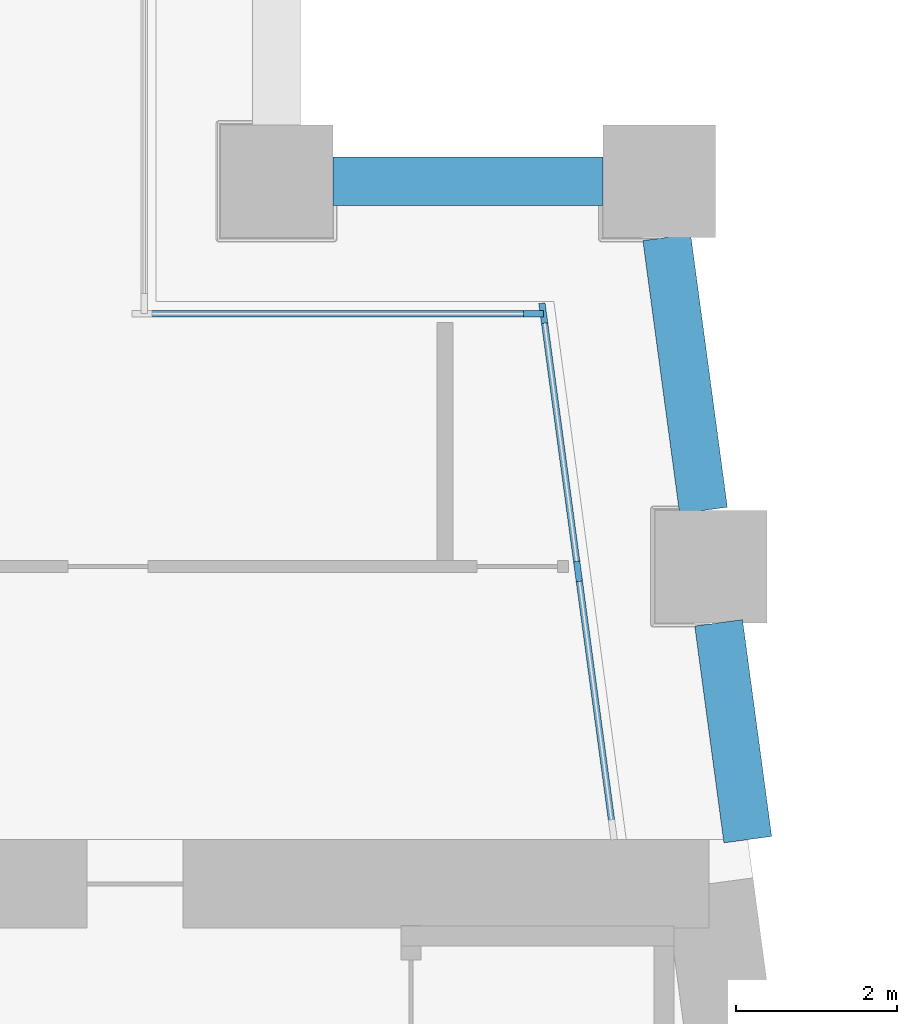
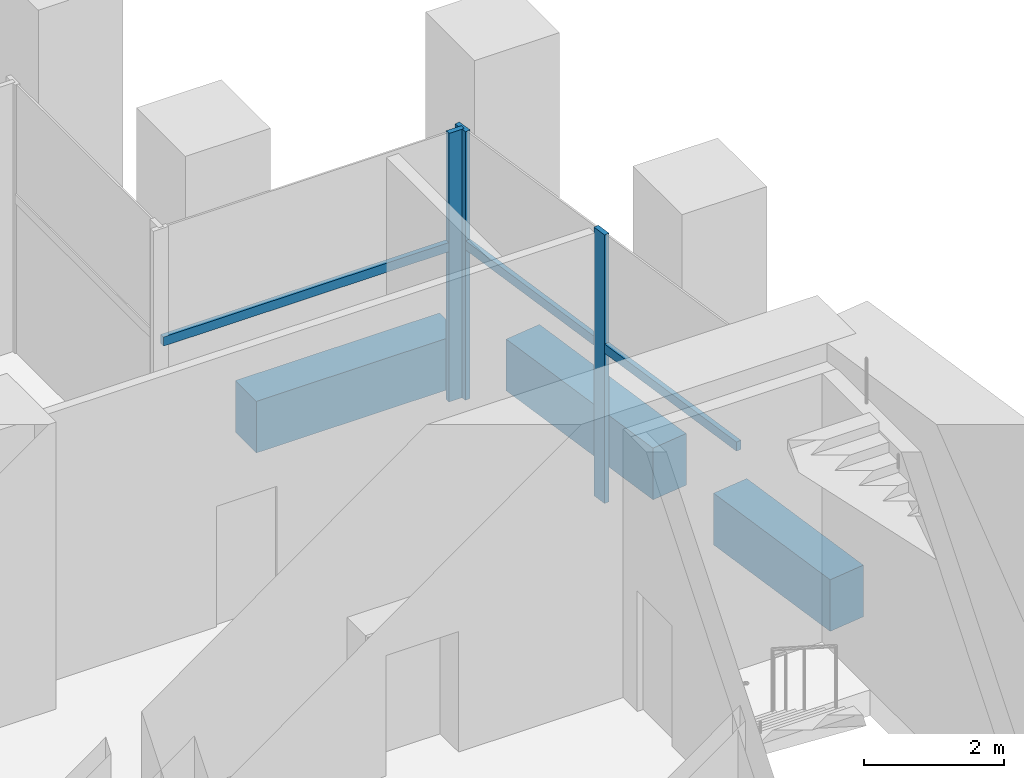
# One storey, part 5 of 15: 6 members, 3 beams, 2 elements without a shape of their own.
"""IFC4 building model written with IfcOpenShell, lengths in metres."""

import ifcopenshell
import ifcopenshell.guid

model = None  # the IFC model being written
_history = None  # IfcOwnerHistory: only IFC2X3 demands one
_inside = {}  # id of a spatial element -> (the spatial element, [elements in it])
_under = {}  # id of a project, library or spatial element -> (it, [spatial elements below it])
_declared = {}  # id of a project -> (the project, [libraries it declares])
_typed = {}  # id of a type object -> (the type object, [elements of that type])
_made_of = {}  # id of a material, layer set ... -> (it, [elements and type objects made of it])


def new_model(schema):
    """Start an empty IFC model of exactly this schema.

    Asked for "IFC4X3", IfcOpenShell would pick the latest addendum, in which some entities
    have other attributes; the version numbers below select the first issue.
    IFC2X3 requires an IfcOwnerHistory on every rooted entity: one is made here for all.
    """
    global model, _history
    if schema == "IFC4X3":
        model = ifcopenshell.file(schema_version=(4, 3, 0, 0))
    else:
        model = ifcopenshell.file(schema=schema)
    _inside.clear()
    _under.clear()
    _declared.clear()
    _typed.clear()
    _made_of.clear()
    _history = None
    if model.schema == "IFC2X3":
        org = make("IfcOrganization", Name="unknown")
        user = make(
            "IfcPersonAndOrganization",
            ThePerson=make("IfcPerson", FamilyName="unknown"),
            TheOrganization=org,
        )
        app = make(
            "IfcApplication",
            ApplicationDeveloper=org,
            Version="unknown",
            ApplicationFullName="unknown",
            ApplicationIdentifier="unknown",
        )
        _history = make(
            "IfcOwnerHistory",
            OwningUser=user,
            OwningApplication=app,
            ChangeAction="ADDED",
            CreationDate=0,
        )
    return model


def make(cls, **values):
    """One entity of the class cls with the attributes given. An attribute that is None is left unset."""
    return model.create_entity(
        cls, **{name: value for name, value in values.items() if value is not None}
    )


def rooted(cls, **values):
    """An entity with a GlobalId (a new one), such as an element, a storey or a relation."""
    return make(cls, GlobalId=ifcopenshell.guid.new(), OwnerHistory=_history, **values)


def si_unit(unit_type, name, prefix=None):
    """IfcSIUnit, for example si_unit("LENGTHUNIT", "METRE", prefix="MILLI")."""
    return make("IfcSIUnit", UnitType=unit_type, Prefix=prefix, Name=name)


def assignment(units):
    """IfcUnitAssignment: the units of a project."""
    return None if units is None else make("IfcUnitAssignment", Units=units)


def point(xyz):
    """IfcCartesianPoint."""
    return None if xyz is None else make("IfcCartesianPoint", Coordinates=xyz)


def direction(xyz):
    """IfcDirection."""
    return None if xyz is None else make("IfcDirection", DirectionRatios=xyz)


def frame(location, z_axis=None, x_axis=None):
    """IfcAxis2Placement3D, a coordinate frame: its origin and axes. An axis left out is left unset."""
    return make(
        "IfcAxis2Placement3D",
        Location=point(location),
        Axis=direction(z_axis),
        RefDirection=direction(x_axis),
    )


def frame_2d(location, x_axis=None):
    """IfcAxis2Placement2D, a coordinate frame in the plane: its origin and x axis."""
    return make(
        "IfcAxis2Placement2D", Location=point(location), RefDirection=direction(x_axis)
    )


def origin():
    """The frame at (0, 0, 0) with its axes left unset."""
    return frame((0.0, 0.0, 0.0))


def origin_2d():
    """The frame at (0, 0) in the plane with its x axis left unset."""
    return frame_2d((0.0, 0.0))


def place(relative_to, where):
    """IfcLocalPlacement: puts the frame where relative to a parent placement (None: the world)."""
    return make(
        "IfcLocalPlacement", PlacementRelTo=relative_to, RelativePlacement=where
    )


def context(
    kind, dimensions, precision=None, world=None, true_north=None, identifier=None
):
    """IfcGeometricRepresentationContext, for example the 3D "Model" context."""
    return make(
        "IfcGeometricRepresentationContext",
        ContextIdentifier=identifier,
        ContextType=kind,
        CoordinateSpaceDimension=dimensions,
        Precision=precision,
        WorldCoordinateSystem=world,
        TrueNorth=true_north,
    )


def subcontext(parent, identifier, kind, view, scale=None):
    """IfcGeometricRepresentationSubContext, for example "Body" below "Model"."""
    return make(
        "IfcGeometricRepresentationSubContext",
        ContextIdentifier=identifier,
        ContextType=kind,
        ParentContext=parent,
        TargetScale=scale,
        TargetView=view,
    )


def project(units=None, contexts=None):
    """IfcProject with its units and contexts."""
    return rooted(
        "IfcProject",
        Name="project",
        RepresentationContexts=contexts,
        UnitsInContext=assignment(units),
    )


def spatial(cls, under=None, at=None, **own):
    """A site, building, storey or space (cls), placed at a placement, below another one or the project."""
    s = rooted(cls, ObjectPlacement=at, **own)
    if under is not None:
        _under.setdefault(under.id(), (under, []))[1].append(s)
    return s


def profile(cls, at=None, kind="AREA", **sizes):
    """A parametric profile (cls). Its sizes go by their IFC names, for example OverallWidth=200.0."""
    return make(cls, ProfileType=kind, Position=at, **sizes)


def rectangle(**sizes):
    """IfcRectangleProfileDef."""
    return profile("IfcRectangleProfileDef", **sizes)


def extrude(swept, where, along, depth):
    """IfcExtrudedAreaSolid: the profile swept, set in the frame where, extruded along a direction by depth."""
    return make(
        "IfcExtrudedAreaSolid",
        SweptArea=swept,
        Position=where,
        ExtrudedDirection=direction(along),
        Depth=depth,
    )


def shape(context_of_items, identifier, shape_type, items):
    """IfcShapeRepresentation: the items that make up one representation, for example the "Body"."""
    return make(
        "IfcShapeRepresentation",
        ContextOfItems=context_of_items,
        RepresentationIdentifier=identifier,
        RepresentationType=shape_type,
        Items=items,
    )


def material(Name=None, Category=None):
    """IfcMaterial."""
    return make("IfcMaterial", Name=Name, Category=Category)


def material_profile(
    of_material, cross_section, Name=None, Category=None, Priority=None
):
    """IfcMaterialProfile: a cross section and its material."""
    return make(
        "IfcMaterialProfile",
        Name=Name,
        Material=of_material,
        Profile=cross_section,
        Priority=Priority,
        Category=Category,
    )


def profile_set(profiles, Name=None, composite=None):
    """IfcMaterialProfileSet."""
    return make(
        "IfcMaterialProfileSet",
        Name=Name,
        MaterialProfiles=profiles,
        CompositeProfile=composite,
    )


def made_of(thing, what):
    """Note that an element or type object is made of a material, layer set ...; save() writes the relation."""
    if what is not None:
        _made_of.setdefault(what.id(), (what, []))[1].append(thing)
    return thing


def type_object(cls, material=None, **own):
    """A type object (cls), such as IfcWallType, which elements share."""
    return made_of(rooted(cls, **own), material)


def element(
    cls,
    number,
    at=None,
    inside=None,
    cuts=None,
    type_object=None,
    material=None,
    context=None,
    identifier="Body",
    shape_type=None,
    held_by="IfcProductDefinitionShape",
    body=None,
    shapes=None,
    **own,
):
    """One element of the class cls, such as IfcWall. Its Tag is "e" and its number.

    at: its placement. inside: the storey or other place that contains it. cuts: it is an
    opening in that element (IfcRelVoidsElement). A single representation is given by context,
    identifier, shape_type and body (its items); several are given by shapes. held_by: the class
    of the entity that holds the representations. save() writes the other relations.
    """
    e = rooted(cls, Tag="e%d" % number, ObjectPlacement=at, **own)
    if body is not None:
        shapes = [shape(context, identifier, shape_type, body)]
    if shapes is not None:
        e.Representation = make(held_by, Representations=shapes)
    if inside is not None:
        _inside.setdefault(inside.id(), (inside, []))[1].append(e)
    if cuts is not None:
        rooted(
            "IfcRelVoidsElement", RelatingBuildingElement=cuts, RelatedOpeningElement=e
        )
    if type_object is not None:
        _typed.setdefault(type_object.id(), (type_object, []))[1].append(e)
    return made_of(e, material)


def aggregate(whole, parts):
    """IfcRelAggregates: a whole, such as a stair, and the parts it consists of."""
    return rooted("IfcRelAggregates", RelatingObject=whole, RelatedObjects=parts)


def save(model, path):
    """Write the relations noted so far, then the file.

    IfcRelAggregates (storeys below a building ...), IfcRelContainedInSpatialStructure (elements
    in a storey), IfcRelDefinesByType, IfcRelAssociatesMaterial and IfcRelDeclares: one each for
    every whole, place, type object, material and project.
    """
    for whole, parts in _under.values():
        aggregate(whole, parts)
    for where, things in _inside.values():
        rooted(
            "IfcRelContainedInSpatialStructure",
            RelatedElements=things,
            RelatingStructure=where,
        )
    for kind, things in _typed.values():
        rooted("IfcRelDefinesByType", RelatedObjects=things, RelatingType=kind)
    for what, things in _made_of.values():
        rooted("IfcRelAssociatesMaterial", RelatedObjects=things, RelatingMaterial=what)
    for by, libraries in _declared.values():
        rooted("IfcRelDeclares", RelatingContext=by, RelatedDefinitions=libraries)
    model.write(path)


model = new_model("IFC4")

# Units and contexts
model_context = context("Model", 3, precision=1e-05, world=origin(), true_north=direction((0.0, 1.0)))
body_context = subcontext(model_context, "Body", "Model", "MODEL_VIEW")
ifc_project = project(units=[si_unit("LENGTHUNIT", "METRE"), si_unit("AREAUNIT", "SQUARE_METRE"), si_unit("VOLUMEUNIT", "CUBIC_METRE"), si_unit("PLANEANGLEUNIT", "RADIAN"), si_unit("MASSUNIT", "GRAM", prefix="KILO")], contexts=[model_context])

# Site, building, storey
site_placement = place(None, origin())
site = spatial("IfcSite", under=ifc_project, at=site_placement, CompositionType="ELEMENT")
building_placement = place(site_placement, origin())
building = spatial("IfcBuilding", under=site, at=building_placement, Name="Candeia Pilgrim Tower and Theatre", CompositionType="ELEMENT")
storey_placement = place(building_placement, frame((0.0, 0.0, 86.0)))
storey = spatial("IfcBuildingStorey", under=building, at=storey_placement, Name="L19", CompositionType="ELEMENT", Elevation=86.0)

# Curtain wall, members
ifc_material_1 = material(Name="Aluminium framed sky lobby glazing", Category="aluminium")
curtain_wall_type = type_object("IfcCurtainWallType", Name="CW-S curtain wall", PredefinedType="NOTDEFINED", material=ifc_material_1)
curtain_wall_1_placement = place(storey_placement, origin())
curtain_wall_1 = element("IfcCurtainWall", 1, at=curtain_wall_1_placement, inside=storey, type_object=curtain_wall_type, Name="Curtain wall CW-S L19.310", PredefinedType="NOTDEFINED")
ifc_material_2 = material(Name="Anodised aluminium", Category="aluminium")
ifc_material_profile_1 = material_profile(ifc_material_2, rectangle(XDim=0.080078125, YDim=0.25, at=origin_2d()))
ifc_profile_set_1 = profile_set([ifc_material_profile_1], Name="Anodised aluminium")
member_type_1 = type_object("IfcMemberType", Name="CW-S mullion 80x250", PredefinedType="MULLION", material=ifc_profile_set_1)
member_1_placement = place(storey_placement, frame((136.0546875, 135.739990234375, 0.0), z_axis=(0.0, 0.0, 1.0), x_axis=(-0.991060661622, -0.133412012145, 0.0)))
member_1 = element("IfcMember", 2, at=member_1_placement, type_object=member_type_1, Name="CW-S mullion 2", PredefinedType="MULLION", context=body_context, shape_type="SweptSolid", body=[
    extrude(rectangle(XDim=0.080078125, YDim=0.25, at=origin_2d()), origin(), (0.0, 0.0, 1.0), 4.679931640625),
])
member_2_placement = place(storey_placement, frame((135.621826171875, 138.9560546875, 0.0), z_axis=(0.0, 0.0, 1.0), x_axis=(-0.991060661622, -0.133412012145, 0.0)))
member_2 = element("IfcMember", 3, at=member_2_placement, type_object=member_type_1, Name="CW-S mullion 3", PredefinedType="MULLION", context=body_context, shape_type="SweptSolid", body=[
    extrude(rectangle(XDim=0.080078125, YDim=0.25, at=origin_2d()), origin(), (0.0, 0.0, 1.0), 4.679931640625),
])

# Curtain wall, member
curtain_wall_2_placement = place(storey_placement, origin())
curtain_wall_2 = element("IfcCurtainWall", 4, at=curtain_wall_2_placement, inside=storey, type_object=curtain_wall_type, Name="Curtain wall CW-S L19.400", PredefinedType="NOTDEFINED")
member_3_placement = place(storey_placement, frame((135.49755859375, 138.949951171875, 0.0), z_axis=(0.0, 0.0, 1.0), x_axis=(0.0, -1.0, 0.0)))
member_3 = element("IfcMember", 5, at=member_3_placement, type_object=member_type_1, Name="CW-S mullion 1", PredefinedType="MULLION", context=body_context, shape_type="SweptSolid", body=[
    extrude(rectangle(XDim=0.080078125, YDim=0.25, at=origin_2d()), origin(), (0.0, 0.0, 1.0), 4.679931640625),
])

# Member
ifc_material_profile_2 = material_profile(ifc_material_2, rectangle(XDim=0.080078125, YDim=0.159912109375, at=origin_2d()))
ifc_profile_set_2 = profile_set([ifc_material_profile_2], Name="Anodised aluminium")
member_type_2 = type_object("IfcMemberType", Name="CW-S transom 80x160", PredefinedType="USERDEFINED", material=ifc_profile_set_2)
member_4_placement = place(storey_placement, frame((136.482421875, 132.5634765625, 2.699951171875), z_axis=(-0.133436779219, 0.991057327278, 0.0), x_axis=(-0.991057327278, -0.133436779219, 0.0)))
member_4 = element("IfcMember", 6, at=member_4_placement, type_object=member_type_2, Name="CW-S transom 1.1", ObjectType="TRANSOM", PredefinedType="USERDEFINED", context=body_context, shape_type="SweptSolid", body=[
    extrude(rectangle(XDim=0.080078125, YDim=0.159912109375, at=origin_2d()), origin(), (0.0, 0.0, 1.0), 3.165283203125),
])

member_5_placement = place(storey_placement, frame((136.04931640625, 135.779541015625, 2.699951171875), z_axis=(-0.133361020312, 0.991067524572, 0.0), x_axis=(-0.991067524572, -0.133361020312, 0.0)))
member_5 = element("IfcMember", 7, at=member_5_placement, type_object=member_type_2, Name="CW-S transom 2.1", ObjectType="TRANSOM", PredefinedType="USERDEFINED", context=body_context, shape_type="SweptSolid", body=[
    extrude(rectangle(XDim=0.080078125, YDim=0.159912109375, at=origin_2d()), origin(), (0.0, 0.0, 1.0), 3.165283203125),
])

aggregate(curtain_wall_1, [member_1, member_2, member_4, member_5])

member_6_placement = place(storey_placement, frame((135.45751953125, 138.949951171875, 2.699951171875), z_axis=(-1.0, 0.0, 0.0), x_axis=(0.0, -1.0, 0.0)))
member_6 = element("IfcMember", 8, at=member_6_placement, type_object=member_type_2, Name="CW-S transom 1.1", ObjectType="TRANSOM", PredefinedType="USERDEFINED", context=body_context, shape_type="SweptSolid", body=[
    extrude(rectangle(XDim=0.080078125, YDim=0.159912109375, at=origin_2d()), origin(), (0.0, 0.0, 1.0), 4.79248046875),
])

aggregate(curtain_wall_2, [member_3, member_6])

# Beams
ifc_material_3 = material(Name="Concrete C80/95", Category="concrete")
ifc_material_profile_3 = material_profile(ifc_material_3, rectangle(XDim=0.60009765625, YDim=0.89990234375, at=origin_2d()))
ifc_profile_set_3 = profile_set([ifc_material_profile_3], Name="Concrete C80/95")
beam_type = type_object("IfcBeamType", Name="RC 600x900 C80/95", PredefinedType="BEAM", material=ifc_profile_set_3)
beam_1_placement = place(storey_placement, frame((138.169189453125, 132.39990234375, -0.449951171875), z_axis=(-0.133425552527, 0.991058838784, 0.0), x_axis=(-0.991058838784, -0.133425552527, 0.0)))
element("IfcBeam", 9, at=beam_1_placement, inside=storey, type_object=beam_type, Name="Spandrel beam L19-12", PredefinedType="BEAM", context=body_context, shape_type="SweptSolid", body=[
    extrude(rectangle(XDim=0.60009765625, YDim=0.89990234375, at=origin_2d()), origin(), (0.0, 0.0, 1.0), 2.724609375),
])
beam_2_placement = place(storey_placement, frame((137.6171875, 136.5, -0.449951171875), z_axis=(-0.13336630817, 0.991066813008, 0.0), x_axis=(-0.991066813008, -0.13336630817, 0.0)))
element("IfcBeam", 10, at=beam_2_placement, inside=storey, type_object=beam_type, Name="Spandrel beam L19-13", PredefinedType="BEAM", context=body_context, shape_type="SweptSolid", body=[
    extrude(rectangle(XDim=0.60009765625, YDim=0.89990234375, at=origin_2d()), origin(), (0.0, 0.0, 1.0), 3.4306640625),
])
beam_3_placement = place(storey_placement, frame((136.365478515625, 140.60009765625, -0.449951171875), z_axis=(-1.0, 0.0, 0.0), x_axis=(0.0, -1.0, 0.0)))
element("IfcBeam", 11, at=beam_3_placement, inside=storey, type_object=beam_type, Name="Spandrel beam L19-14", PredefinedType="BEAM", context=body_context, shape_type="SweptSolid", body=[
    extrude(rectangle(XDim=0.60009765625, YDim=0.89990234375, at=origin_2d()), origin(), (0.0, 0.0, 1.0), 3.365478515625),
])

save(model, "model.ifc")
